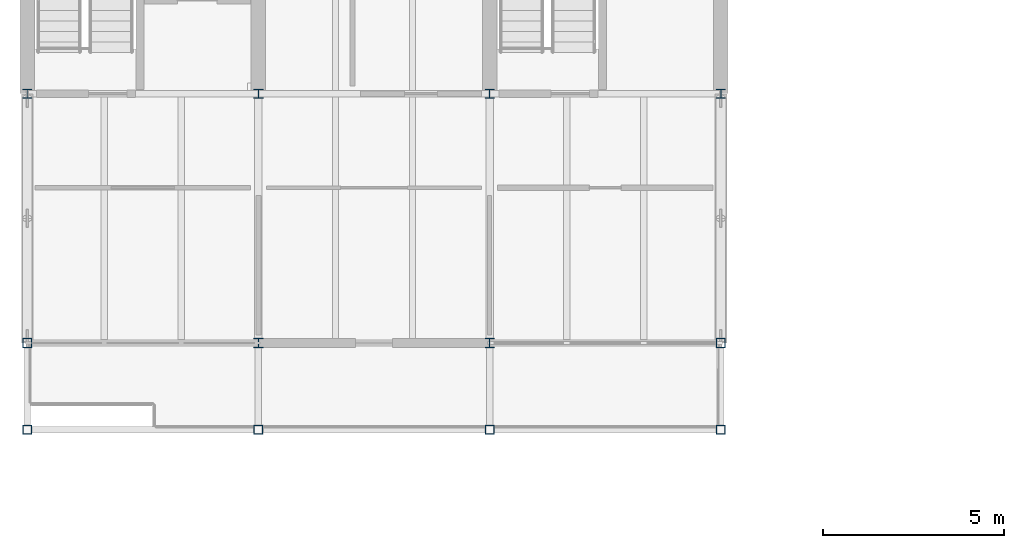
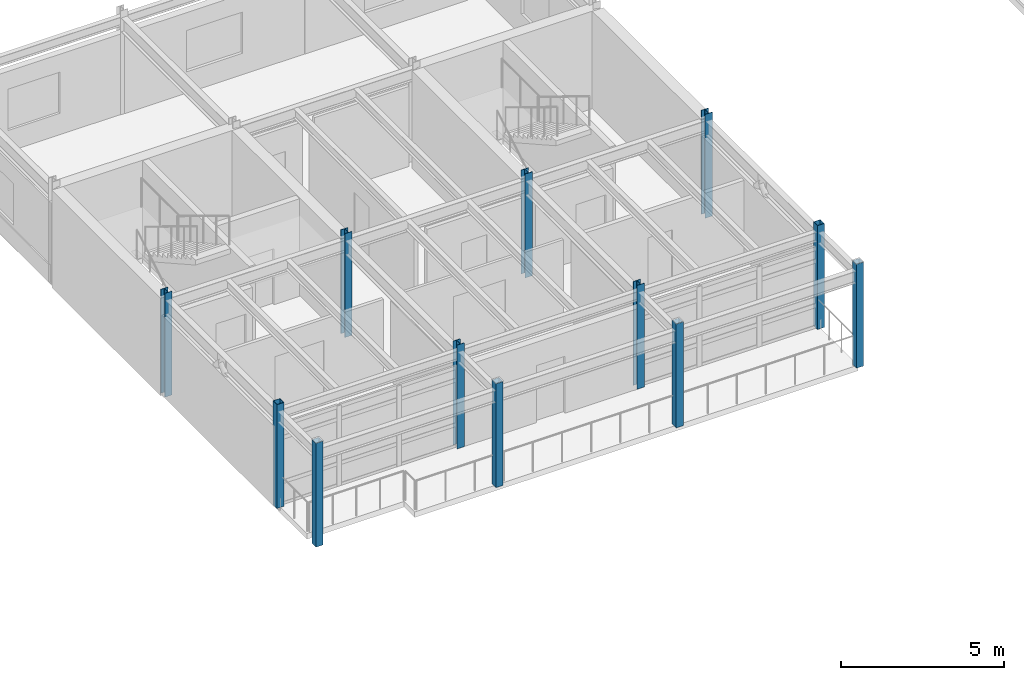
# One storey, part 2 of 26: 12 columns.
"""IFC4 building model written with IfcOpenShell, lengths in metres."""

from ifc_helpers import new_model, si_unit, direction, frame, origin, origin_2d, place, context, subcontext, project, spatial, hollow_rectangle, i_section, extrude, material, material_profile, profile_set, type_object, element, save


model = new_model("IFC4")

# Units and contexts
model_context = context("Model", 3, precision=1e-05, world=origin(), true_north=direction((0.0, 1.0)))
body_context = subcontext(model_context, "Body", "Model", "MODEL_VIEW")
ifc_project = project(units=[si_unit("LENGTHUNIT", "METRE"), si_unit("AREAUNIT", "SQUARE_METRE"), si_unit("VOLUMEUNIT", "CUBIC_METRE"), si_unit("PLANEANGLEUNIT", "RADIAN"), si_unit("MASSUNIT", "GRAM", prefix="KILO")], contexts=[model_context])

# Site, building, storey
site_placement = place(None, origin())
site = spatial("IfcSite", under=ifc_project, at=site_placement, CompositionType="ELEMENT")
building_placement = place(site_placement, origin())
building = spatial("IfcBuilding", under=site, at=building_placement, Name="Trelmorton Wharf Fire Station", CompositionType="ELEMENT")
storey_placement = place(building_placement, frame((0.0, 0.0, 17.39990234375)))
storey = spatial("IfcBuildingStorey", under=building, at=storey_placement, Name="L04", CompositionType="ELEMENT", Elevation=17.39990234375)

# Columns
ifc_material_1 = material(Name="Steel Grade 350", Category="steel")
ifc_material_profile_1 = material_profile(ifc_material_1, i_section(OverallWidth=0.256103515625, OverallDepth=0.260009765625, WebThickness=0.010498046875, FlangeThickness=0.017333984375, FilletRadius=0.0126953125, at=origin_2d()), Name="250UC89.5")
ifc_profile_set_1 = profile_set([ifc_material_profile_1], Name="Steel Grade 350")
column_type_1 = type_object("IfcColumnType", Name="COL_250UC89", PredefinedType="COLUMN", material=ifc_profile_set_1)
for number, where, z_axis, x_axis, name in (
    (1, (70.800048828125, 67.199951171875, 0.0), (0.0, 0.0, 1.0), (1.0, 0.0, 0.0), "COL-L04-0694"),
    (2, (77.199951171875, 60.300048828125, 0.0), (0.0, 0.0, 1.0), (1.0, 0.0, 0.0), "COL-L04-0698"),
    (3, (77.199951171875, 67.199951171875, 0.0), (0.0, 0.0, 1.0), (1.0, 0.0, 0.0), "COL-L04-0699"),
    (4, (83.60009765625, 60.300048828125, 0.0), (0.0, 0.0, 1.0), (1.0, 0.0, 0.0), "COL-L04-0703"),
    (5, (83.60009765625, 67.199951171875, 0.0), (0.0, 0.0, 1.0), (1.0, 0.0, 0.0), "COL-L04-0704"),
    (6, (90.0, 67.199951171875, 0.0), (0.0, 0.0, 1.0), (1.0, 0.0, 0.0), "COL-L04-0709"),
):
    element("IfcColumn", number, at=place(storey_placement, frame(where, z_axis=z_axis, x_axis=x_axis)), inside=storey, type_object=column_type_1, Name=name, PredefinedType="COLUMN", context=body_context, shape_type="SweptSolid", body=[
        extrude(i_section(OverallWidth=0.256103515625, OverallDepth=0.260009765625, WebThickness=0.010498046875, FlangeThickness=0.017333984375, FilletRadius=0.0126953125, at=origin_2d()), origin(), (0.0, 0.0, 1.0), 3.900146484375),
    ])
ifc_material_2 = material(Name="Signal-red architectural steel Grade 350", Category="steel")
ifc_material_profile_2 = material_profile(ifc_material_2, hollow_rectangle(XDim=0.25, YDim=0.25, WallThickness=0.012451171875, at=origin_2d()), Name="250x250x12.5SHS")
ifc_profile_set_2 = profile_set([ifc_material_profile_2], Name="Signal-red architectural steel Grade 350")
column_type_2 = type_object("IfcColumnType", Name="COL_RED_250SHS", PredefinedType="COLUMN", material=ifc_profile_set_2)
for number, where, z_axis, x_axis, name in (
    (7, (70.800048828125, 57.89990234375, 0.0), (0.0, 0.0, 1.0), (1.0, 0.0, 0.0), "COL-L04-0692"),
    (8, (70.800048828125, 60.300048828125, 0.0), (0.0, 0.0, 1.0), (1.0, 0.0, 0.0), "COL-L04-0693"),
    (9, (77.199951171875, 57.89990234375, 0.0), (0.0, 0.0, 1.0), (1.0, 0.0, 0.0), "COL-L04-0697"),
    (10, (83.60009765625, 57.89990234375, 0.0), (0.0, 0.0, 1.0), (1.0, 0.0, 0.0), "COL-L04-0702"),
    (11, (90.0, 57.89990234375, 0.0), (0.0, 0.0, 1.0), (1.0, 0.0, 0.0), "COL-L04-0707"),
    (12, (90.0, 60.300048828125, 0.0), (0.0, 0.0, 1.0), (1.0, 0.0, 0.0), "COL-L04-0708"),
):
    element("IfcColumn", number, at=place(storey_placement, frame(where, z_axis=z_axis, x_axis=x_axis)), inside=storey, type_object=column_type_2, Name=name, PredefinedType="COLUMN", context=body_context, shape_type="SweptSolid", body=[
        extrude(hollow_rectangle(XDim=0.25, YDim=0.25, WallThickness=0.012451171875, at=origin_2d()), origin(), (0.0, 0.0, 1.0), 3.900146484375),
    ])

save(model, "model.ifc")
